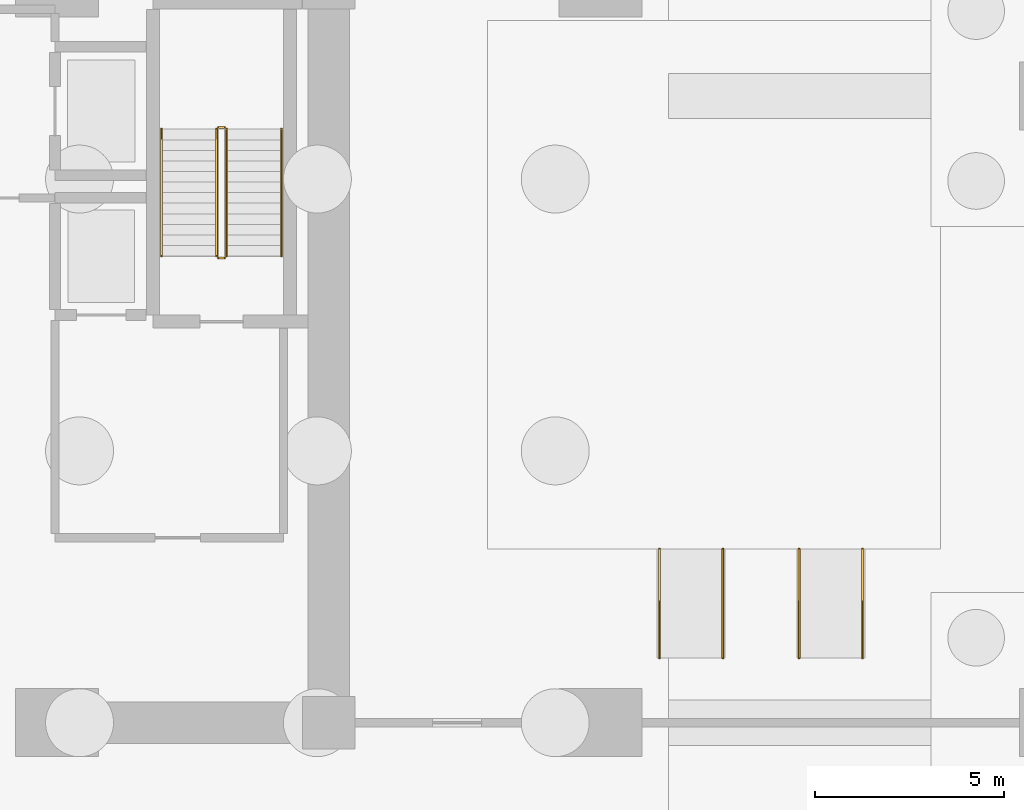
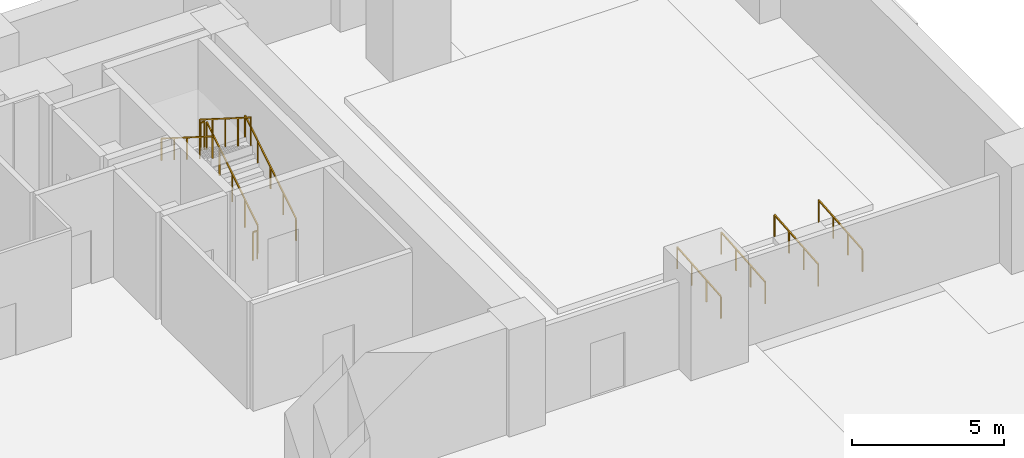
# One storey, part 9 of 10: 10 railings.
"""IFC4 building model written with IfcOpenShell, lengths in metres."""

import ifcopenshell
import ifcopenshell.guid

model = None  # the IFC model being written
_history = None  # IfcOwnerHistory: only IFC2X3 demands one
_inside = {}  # id of a spatial element -> (the spatial element, [elements in it])
_under = {}  # id of a project, library or spatial element -> (it, [spatial elements below it])
_declared = {}  # id of a project -> (the project, [libraries it declares])
_typed = {}  # id of a type object -> (the type object, [elements of that type])
_made_of = {}  # id of a material, layer set ... -> (it, [elements and type objects made of it])


def new_model(schema):
    """Start an empty IFC model of exactly this schema.

    Asked for "IFC4X3", IfcOpenShell would pick the latest addendum, in which some entities
    have other attributes; the version numbers below select the first issue.
    IFC2X3 requires an IfcOwnerHistory on every rooted entity: one is made here for all.
    """
    global model, _history
    if schema == "IFC4X3":
        model = ifcopenshell.file(schema_version=(4, 3, 0, 0))
    else:
        model = ifcopenshell.file(schema=schema)
    _inside.clear()
    _under.clear()
    _declared.clear()
    _typed.clear()
    _made_of.clear()
    _history = None
    if model.schema == "IFC2X3":
        org = make("IfcOrganization", Name="unknown")
        user = make(
            "IfcPersonAndOrganization",
            ThePerson=make("IfcPerson", FamilyName="unknown"),
            TheOrganization=org,
        )
        app = make(
            "IfcApplication",
            ApplicationDeveloper=org,
            Version="unknown",
            ApplicationFullName="unknown",
            ApplicationIdentifier="unknown",
        )
        _history = make(
            "IfcOwnerHistory",
            OwningUser=user,
            OwningApplication=app,
            ChangeAction="ADDED",
            CreationDate=0,
        )
    return model


def make(cls, **values):
    """One entity of the class cls with the attributes given. An attribute that is None is left unset."""
    return model.create_entity(
        cls, **{name: value for name, value in values.items() if value is not None}
    )


def rooted(cls, **values):
    """An entity with a GlobalId (a new one), such as an element, a storey or a relation."""
    return make(cls, GlobalId=ifcopenshell.guid.new(), OwnerHistory=_history, **values)


def si_unit(unit_type, name, prefix=None):
    """IfcSIUnit, for example si_unit("LENGTHUNIT", "METRE", prefix="MILLI")."""
    return make("IfcSIUnit", UnitType=unit_type, Prefix=prefix, Name=name)


def assignment(units):
    """IfcUnitAssignment: the units of a project."""
    return None if units is None else make("IfcUnitAssignment", Units=units)


def point(xyz):
    """IfcCartesianPoint."""
    return None if xyz is None else make("IfcCartesianPoint", Coordinates=xyz)


def direction(xyz):
    """IfcDirection."""
    return None if xyz is None else make("IfcDirection", DirectionRatios=xyz)


def frame(location, z_axis=None, x_axis=None):
    """IfcAxis2Placement3D, a coordinate frame: its origin and axes. An axis left out is left unset."""
    return make(
        "IfcAxis2Placement3D",
        Location=point(location),
        Axis=direction(z_axis),
        RefDirection=direction(x_axis),
    )


def frame_2d(location, x_axis=None):
    """IfcAxis2Placement2D, a coordinate frame in the plane: its origin and x axis."""
    return make(
        "IfcAxis2Placement2D", Location=point(location), RefDirection=direction(x_axis)
    )


def origin():
    """The frame at (0, 0, 0) with its axes left unset."""
    return frame((0.0, 0.0, 0.0))


def origin_2d():
    """The frame at (0, 0) in the plane with its x axis left unset."""
    return frame_2d((0.0, 0.0))


def place(relative_to, where):
    """IfcLocalPlacement: puts the frame where relative to a parent placement (None: the world)."""
    return make(
        "IfcLocalPlacement", PlacementRelTo=relative_to, RelativePlacement=where
    )


def context(
    kind, dimensions, precision=None, world=None, true_north=None, identifier=None
):
    """IfcGeometricRepresentationContext, for example the 3D "Model" context."""
    return make(
        "IfcGeometricRepresentationContext",
        ContextIdentifier=identifier,
        ContextType=kind,
        CoordinateSpaceDimension=dimensions,
        Precision=precision,
        WorldCoordinateSystem=world,
        TrueNorth=true_north,
    )


def subcontext(parent, identifier, kind, view, scale=None):
    """IfcGeometricRepresentationSubContext, for example "Body" below "Model"."""
    return make(
        "IfcGeometricRepresentationSubContext",
        ContextIdentifier=identifier,
        ContextType=kind,
        ParentContext=parent,
        TargetScale=scale,
        TargetView=view,
    )


def project(units=None, contexts=None):
    """IfcProject with its units and contexts."""
    return rooted(
        "IfcProject",
        Name="project",
        RepresentationContexts=contexts,
        UnitsInContext=assignment(units),
    )


def spatial(cls, under=None, at=None, **own):
    """A site, building, storey or space (cls), placed at a placement, below another one or the project."""
    s = rooted(cls, ObjectPlacement=at, **own)
    if under is not None:
        _under.setdefault(under.id(), (under, []))[1].append(s)
    return s


def profile(cls, at=None, kind="AREA", **sizes):
    """A parametric profile (cls). Its sizes go by their IFC names, for example OverallWidth=200.0."""
    return make(cls, ProfileType=kind, Position=at, **sizes)


def rectangle(**sizes):
    """IfcRectangleProfileDef."""
    return profile("IfcRectangleProfileDef", **sizes)


def extrude(swept, where, along, depth):
    """IfcExtrudedAreaSolid: the profile swept, set in the frame where, extruded along a direction by depth."""
    return make(
        "IfcExtrudedAreaSolid",
        SweptArea=swept,
        Position=where,
        ExtrudedDirection=direction(along),
        Depth=depth,
    )


def shape(context_of_items, identifier, shape_type, items):
    """IfcShapeRepresentation: the items that make up one representation, for example the "Body"."""
    return make(
        "IfcShapeRepresentation",
        ContextOfItems=context_of_items,
        RepresentationIdentifier=identifier,
        RepresentationType=shape_type,
        Items=items,
    )


def material(Name=None, Category=None):
    """IfcMaterial."""
    return make("IfcMaterial", Name=Name, Category=Category)


def made_of(thing, what):
    """Note that an element or type object is made of a material, layer set ...; save() writes the relation."""
    if what is not None:
        _made_of.setdefault(what.id(), (what, []))[1].append(thing)
    return thing


def type_object(cls, material=None, **own):
    """A type object (cls), such as IfcWallType, which elements share."""
    return made_of(rooted(cls, **own), material)


def element(
    cls,
    number,
    at=None,
    inside=None,
    cuts=None,
    type_object=None,
    material=None,
    context=None,
    identifier="Body",
    shape_type=None,
    held_by="IfcProductDefinitionShape",
    body=None,
    shapes=None,
    **own,
):
    """One element of the class cls, such as IfcWall. Its Tag is "e" and its number.

    at: its placement. inside: the storey or other place that contains it. cuts: it is an
    opening in that element (IfcRelVoidsElement). A single representation is given by context,
    identifier, shape_type and body (its items); several are given by shapes. held_by: the class
    of the entity that holds the representations. save() writes the other relations.
    """
    e = rooted(cls, Tag="e%d" % number, ObjectPlacement=at, **own)
    if body is not None:
        shapes = [shape(context, identifier, shape_type, body)]
    if shapes is not None:
        e.Representation = make(held_by, Representations=shapes)
    if inside is not None:
        _inside.setdefault(inside.id(), (inside, []))[1].append(e)
    if cuts is not None:
        rooted(
            "IfcRelVoidsElement", RelatingBuildingElement=cuts, RelatedOpeningElement=e
        )
    if type_object is not None:
        _typed.setdefault(type_object.id(), (type_object, []))[1].append(e)
    return made_of(e, material)


def aggregate(whole, parts):
    """IfcRelAggregates: a whole, such as a stair, and the parts it consists of."""
    return rooted("IfcRelAggregates", RelatingObject=whole, RelatedObjects=parts)


def save(model, path):
    """Write the relations noted so far, then the file.

    IfcRelAggregates (storeys below a building ...), IfcRelContainedInSpatialStructure (elements
    in a storey), IfcRelDefinesByType, IfcRelAssociatesMaterial and IfcRelDeclares: one each for
    every whole, place, type object, material and project.
    """
    for whole, parts in _under.values():
        aggregate(whole, parts)
    for where, things in _inside.values():
        rooted(
            "IfcRelContainedInSpatialStructure",
            RelatedElements=things,
            RelatingStructure=where,
        )
    for kind, things in _typed.values():
        rooted("IfcRelDefinesByType", RelatedObjects=things, RelatingType=kind)
    for what, things in _made_of.values():
        rooted("IfcRelAssociatesMaterial", RelatedObjects=things, RelatingMaterial=what)
    for by, libraries in _declared.values():
        rooted("IfcRelDeclares", RelatingContext=by, RelatedDefinitions=libraries)
    model.write(path)


model = new_model("IFC4")

# Units and contexts
model_context = context("Model", 3, precision=1e-05, world=origin(), true_north=direction((0.0, 1.0)))
body_context = subcontext(model_context, "Body", "Model", "MODEL_VIEW")
ifc_project = project(units=[si_unit("LENGTHUNIT", "METRE"), si_unit("AREAUNIT", "SQUARE_METRE"), si_unit("VOLUMEUNIT", "CUBIC_METRE"), si_unit("PLANEANGLEUNIT", "RADIAN"), si_unit("MASSUNIT", "GRAM", prefix="KILO")], contexts=[model_context])

# Site, building, storey
site_placement = place(None, origin())
site = spatial("IfcSite", under=ifc_project, at=site_placement, CompositionType="ELEMENT")
building_placement = place(site_placement, origin())
building = spatial("IfcBuilding", under=site, at=building_placement, Name="Kaelvorn Grand Hotel", CompositionType="ELEMENT")
storey_placement = place(building_placement, frame((0.0, 0.0, -9.199951171875)))
storey = spatial("IfcBuildingStorey", under=building, at=storey_placement, Name="B02", CompositionType="ELEMENT", Elevation=-9.199951171875)

# Railings
ifc_material = material(Name="Stainless Steel", Category="steel")
railing_type_1 = type_object("IfcRailingType", Name="RL-HANDRAIL-900", PredefinedType="HANDRAIL", material=ifc_material)
railing_1_placement = place(storey_placement, frame((66.550048828125, 41.760009765625, 0.1767578125)))
element("IfcRailing", 1, at=railing_1_placement, inside=storey, type_object=railing_type_1, Name="B02 ST3 stair handrail 1", PredefinedType="HANDRAIL", context=body_context, shape_type="SweptSolid", body=[
    extrude(rectangle(XDim=0.048095703125, YDim=0.048095703125, at=origin_2d()), frame((0.0, 0.0, 0.8759765625), z_axis=(0.0, 0.845361898145, 0.534194029511), x_axis=(-1.0, 0.0, 0.0)), (0.0, 0.0, 1.0), 3.974853515625),
    extrude(rectangle(XDim=0.0419921875, YDim=0.0419921875, at=origin_2d()), origin(), (0.0, 0.0, 1.0), 0.851806640625),
    extrude(rectangle(XDim=0.0419921875, YDim=0.0419921875, at=origin_2d()), frame((0.0, 0.840087890625, 0.53076171875)), (0.0, 0.0, 1.0), 0.851806640625),
    extrude(rectangle(XDim=0.0419921875, YDim=0.0419921875, at=origin_2d()), frame((0.0, 1.68017578125, 1.0615234375)), (0.0, 0.0, 1.0), 0.851806640625),
    extrude(rectangle(XDim=0.0419921875, YDim=0.0419921875, at=origin_2d()), frame((0.0, 2.52001953125, 1.592529296875)), (0.0, 0.0, 1.0), 0.851806640625),
    extrude(rectangle(XDim=0.0419921875, YDim=0.0419921875, at=origin_2d()), frame((0.0, 3.360107421875, 2.123291015625)), (0.0, 0.0, 1.0), 0.851806640625),
])
railing_2_placement = place(storey_placement, frame((63.3701171875, 45.1201171875, 2.476806640625)))
element("IfcRailing", 2, at=railing_2_placement, inside=storey, type_object=railing_type_1, Name="B02 ST3 stair handrail 2", PredefinedType="HANDRAIL", context=body_context, shape_type="SweptSolid", body=[
    extrude(rectangle(XDim=0.048095703125, YDim=0.048095703125, at=origin_2d()), frame((0.0, 0.0, 0.8759765625), z_axis=(0.0, -0.845389635667, 0.534150132366), x_axis=(1.0, 0.0, 0.0)), (0.0, 0.0, 1.0), 3.974609375),
    extrude(rectangle(XDim=0.0419921875, YDim=0.0419921875, at=origin_2d()), origin(), (0.0, 0.0, 1.0), 0.851806640625),
    extrude(rectangle(XDim=0.0419921875, YDim=0.0419921875, at=origin_2d()), frame((0.0, -0.840087890625, 0.53076171875)), (0.0, 0.0, 1.0), 0.851806640625),
    extrude(rectangle(XDim=0.0419921875, YDim=0.0419921875, at=origin_2d()), frame((0.0, -1.68017578125, 1.0615234375)), (0.0, 0.0, 1.0), 0.851806640625),
    extrude(rectangle(XDim=0.0419921875, YDim=0.0419921875, at=origin_2d()), frame((0.0, -2.52001953125, 1.59228515625)), (0.0, 0.0, 1.0), 0.851806640625),
    extrude(rectangle(XDim=0.0419921875, YDim=0.0419921875, at=origin_2d()), frame((0.0, -3.360107421875, 2.123046875)), (0.0, 0.0, 1.0), 0.851806640625),
])
for number, where, name in (
    (3, (76.56005859375, 31.114990234375, 0.0), "B02 Accessible Ramp AR1 Handrail 1"),
    (4, (78.239990234375, 31.114990234375, 0.0), "B02 Accessible Ramp AR1 Handrail 2"),
    (5, (80.260009765625, 31.114990234375, 0.0), "B02 Accessible Ramp AR5 Handrail 1"),
    (6, (81.93994140625, 31.114990234375, 0.0), "B02 Accessible Ramp AR5 Handrail 2"),
):
    element("IfcRailing", number, at=place(storey_placement, frame(where)), inside=storey, type_object=railing_type_1, Name=name, PredefinedType="HANDRAIL", context=body_context, shape_type="SweptSolid", body=[
        extrude(rectangle(XDim=0.048095703125, YDim=0.048095703125, at=origin_2d()), frame((0.0, 0.0, 0.8759765625), z_axis=(0.0, 0.996569523047, 0.082759807481), x_axis=(-1.0, 0.0, 0.0)), (0.0, 0.0, 1.0), 2.89990234375),
        extrude(rectangle(XDim=0.0419921875, YDim=0.0419921875, at=origin_2d()), origin(), (0.0, 0.0, 1.0), 0.851806640625),
        extrude(rectangle(XDim=0.0419921875, YDim=0.0419921875, at=origin_2d()), frame((0.0, 0.96337890625, 0.080078125)), (0.0, 0.0, 1.0), 0.851806640625),
        extrude(rectangle(XDim=0.0419921875, YDim=0.0419921875, at=origin_2d()), frame((0.0, 1.926513671875, 0.159912109375)), (0.0, 0.0, 1.0), 0.851806640625),
        extrude(rectangle(XDim=0.0419921875, YDim=0.0419921875, at=origin_2d()), frame((0.0, 2.889892578125, 0.239990234375)), (0.0, 0.0, 1.0), 0.851806640625),
    ])
railing_type_2 = type_object("IfcRailingType", Name="RL-STAIR-GUARD-1150", PredefinedType="BALUSTRADE", material=ifc_material)
railing_3_placement = place(storey_placement, frame((65.090087890625, 41.760009765625, 0.1767578125)))
element("IfcRailing", 7, at=railing_3_placement, inside=storey, type_object=railing_type_2, Name="B02 ST3 stair guard 1", PredefinedType="BALUSTRADE", context=body_context, shape_type="SweptSolid", body=[
    extrude(rectangle(XDim=0.048095703125, YDim=0.048095703125, at=origin_2d()), frame((0.0, 0.0, 1.1259765625), z_axis=(0.0, 0.845361898145, 0.534194029511), x_axis=(-1.0, 0.0, 0.0)), (0.0, 0.0, 1.0), 3.974853515625),
    extrude(rectangle(XDim=0.0419921875, YDim=0.0419921875, at=origin_2d()), origin(), (0.0, 0.0, 1.0), 1.101806640625),
    extrude(rectangle(XDim=0.0419921875, YDim=0.0419921875, at=origin_2d()), frame((0.0, 0.840087890625, 0.53076171875)), (0.0, 0.0, 1.0), 1.101806640625),
    extrude(rectangle(XDim=0.0419921875, YDim=0.0419921875, at=origin_2d()), frame((0.0, 1.68017578125, 1.0615234375)), (0.0, 0.0, 1.0), 1.101806640625),
    extrude(rectangle(XDim=0.0419921875, YDim=0.0419921875, at=origin_2d()), frame((0.0, 2.52001953125, 1.592529296875)), (0.0, 0.0, 1.0), 1.101806640625),
    extrude(rectangle(XDim=0.0419921875, YDim=0.0419921875, at=origin_2d()), frame((0.0, 3.360107421875, 2.123291015625)), (0.0, 0.0, 1.0), 1.101806640625),
])
railing_4_placement = place(storey_placement, frame((65.0400390625, 45.169921875, 2.300048828125)))
element("IfcRailing", 8, at=railing_4_placement, inside=storey, type_object=railing_type_2, Name="B02 ST3 stair guard 2", PredefinedType="BALUSTRADE", context=body_context, shape_type="SweptSolid", body=[
    extrude(rectangle(XDim=0.048095703125, YDim=0.048095703125, at=origin_2d()), frame((0.0, 0.0, 1.1259765625), z_axis=(-1.0, 0.0, 0.0), x_axis=(0.0, -1.0, 0.0)), (0.0, 0.0, 1.0), 0.16015625),
    extrude(rectangle(XDim=0.0419921875, YDim=0.0419921875, at=origin_2d()), origin(), (0.0, 0.0, 1.0), 1.101806640625),
    extrude(rectangle(XDim=0.0419921875, YDim=0.0419921875, at=origin_2d()), frame((-0.16015625, 0.0, 0.0)), (0.0, 0.0, 1.0), 1.101806640625),
])
railing_5_placement = place(storey_placement, frame((64.830078125, 45.1201171875, 2.476806640625)))
element("IfcRailing", 9, at=railing_5_placement, inside=storey, type_object=railing_type_2, Name="B02 ST3 stair guard 3", PredefinedType="BALUSTRADE", context=body_context, shape_type="SweptSolid", body=[
    extrude(rectangle(XDim=0.048095703125, YDim=0.048095703125, at=origin_2d()), frame((0.0, 0.0, 1.1259765625), z_axis=(0.0, -0.845389635667, 0.534150132366), x_axis=(1.0, 0.0, 0.0)), (0.0, 0.0, 1.0), 3.974609375),
    extrude(rectangle(XDim=0.0419921875, YDim=0.0419921875, at=origin_2d()), origin(), (0.0, 0.0, 1.0), 1.101806640625),
    extrude(rectangle(XDim=0.0419921875, YDim=0.0419921875, at=origin_2d()), frame((0.0, -0.840087890625, 0.53076171875)), (0.0, 0.0, 1.0), 1.101806640625),
    extrude(rectangle(XDim=0.0419921875, YDim=0.0419921875, at=origin_2d()), frame((0.0, -1.68017578125, 1.0615234375)), (0.0, 0.0, 1.0), 1.101806640625),
    extrude(rectangle(XDim=0.0419921875, YDim=0.0419921875, at=origin_2d()), frame((0.0, -2.52001953125, 1.59228515625)), (0.0, 0.0, 1.0), 1.101806640625),
    extrude(rectangle(XDim=0.0419921875, YDim=0.0419921875, at=origin_2d()), frame((0.0, -3.360107421875, 2.123046875)), (0.0, 0.0, 1.0), 1.101806640625),
])
railing_6_placement = place(storey_placement, frame((65.0400390625, 41.7099609375, 0.0)))
element("IfcRailing", 10, at=railing_6_placement, inside=storey, type_object=railing_type_2, Name="B02 ST3 stair guard 4", PredefinedType="BALUSTRADE", context=body_context, shape_type="SweptSolid", body=[
    extrude(rectangle(XDim=0.048095703125, YDim=0.048095703125, at=origin_2d()), frame((0.0, 0.0, 1.1259765625), z_axis=(-1.0, 0.0, 0.0), x_axis=(0.0, -1.0, 0.0)), (0.0, 0.0, 1.0), 0.16015625),
    extrude(rectangle(XDim=0.0419921875, YDim=0.0419921875, at=origin_2d()), origin(), (0.0, 0.0, 1.0), 1.101806640625),
    extrude(rectangle(XDim=0.0419921875, YDim=0.0419921875, at=origin_2d()), frame((-0.16015625, 0.0, 0.0)), (0.0, 0.0, 1.0), 1.101806640625),
])

save(model, "model.ifc")
